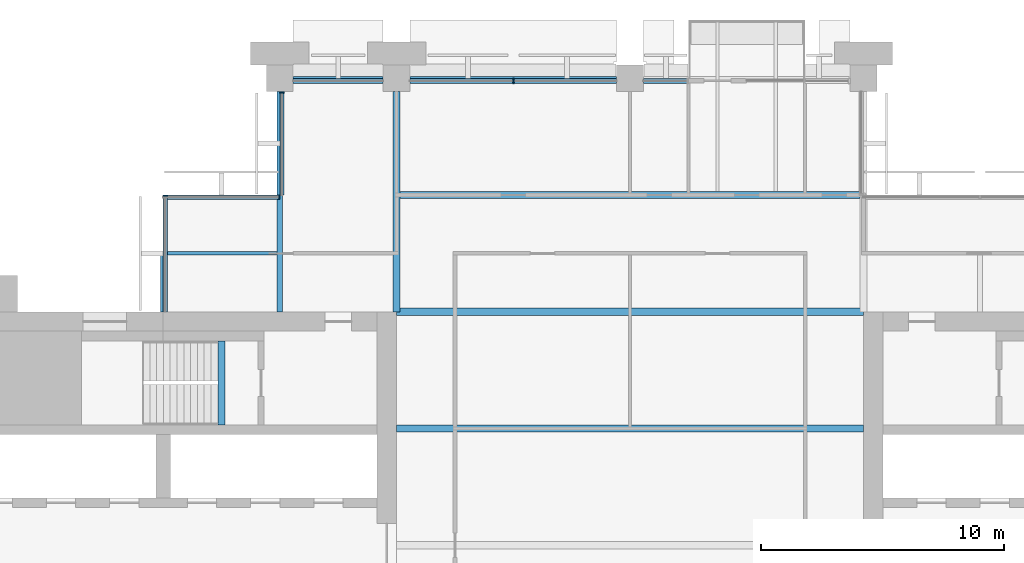
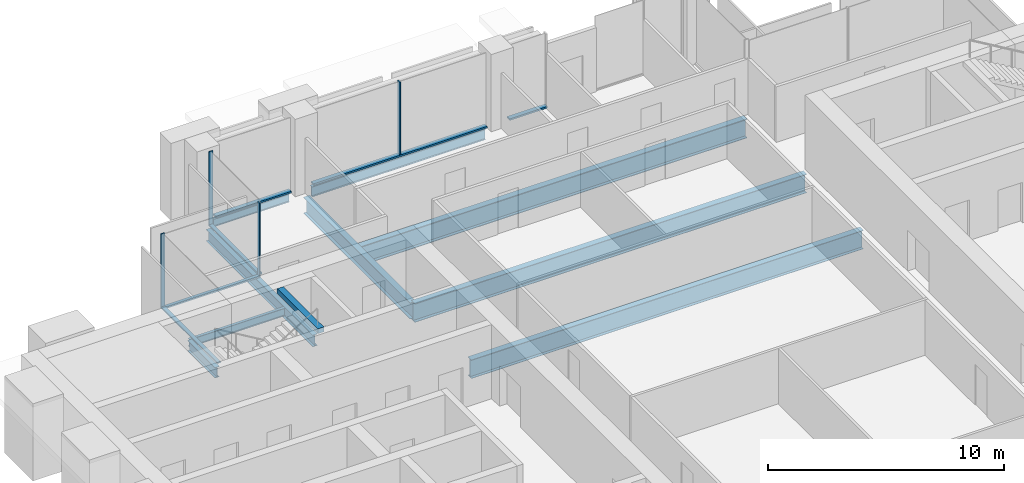
# One storey, part 5 of 14: 10 beams, 10 members, 4 elements without a shape of their own.
"""IFC4 building model written with IfcOpenShell, lengths in metres."""

from ifc_helpers import new_model, si_unit, direction, frame, origin, origin_2d, place, context, subcontext, project, spatial, rectangle, i_section, extrude, material, material_profile, profile_set, type_object, element, aggregate, save


model = new_model("IFC4")

# Units and contexts
model_context = context("Model", 3, precision=1e-05, world=origin(), true_north=direction((0.0, 1.0)))
body_context = subcontext(model_context, "Body", "Model", "MODEL_VIEW")
ifc_project = project(units=[si_unit("LENGTHUNIT", "METRE"), si_unit("AREAUNIT", "SQUARE_METRE"), si_unit("VOLUMEUNIT", "CUBIC_METRE"), si_unit("PLANEANGLEUNIT", "RADIAN"), si_unit("MASSUNIT", "GRAM", prefix="KILO")], contexts=[model_context])

# Site, building, storey
site_placement = place(None, origin())
site = spatial("IfcSite", under=ifc_project, at=site_placement, CompositionType="ELEMENT")
building_placement = place(site_placement, origin())
building = spatial("IfcBuilding", under=site, at=building_placement, Name="Baori Bourse Tower", CompositionType="ELEMENT")
storey_placement = place(building_placement, frame((0.0, 0.0, 221.199951171875)))
storey = spatial("IfcBuildingStorey", under=building, at=storey_placement, Name="L48", CompositionType="ELEMENT", Elevation=221.199951171875)

# Curtain wall, member
ifc_material_1 = material(Name="Pale anodised aluminium", Category="aluminium")
curtain_wall_type_1 = type_object("IfcCurtainWallType", Name="CW2 Curtain wall", PredefinedType="NOTDEFINED", material=ifc_material_1)
curtain_wall_1_placement = place(storey_placement, origin())
curtain_wall_1 = element("IfcCurtainWall", 1, at=curtain_wall_1_placement, inside=storey, type_object=curtain_wall_type_1, Name="Curtain wall CW2 L48 7", PredefinedType="NOTDEFINED")
ifc_material_2 = material(Name="Pale anodised aluminium", Category="aluminium")
ifc_material_profile_1 = material_profile(ifc_material_2, rectangle(XDim=0.179931640625, YDim=0.054931640625, at=origin_2d()), Name="Mullion 55x180")
ifc_profile_set_1 = profile_set([ifc_material_profile_1], Name="Pale anodised aluminium")
member_type_1 = type_object("IfcMemberType", Name="CW2 Curtain wall mullion", PredefinedType="MULLION", material=ifc_profile_set_1)
member_1_placement = place(storey_placement, frame((14.489990234375, 47.422607421875, 0.070068359375), z_axis=(0.0, 0.0, 1.0), x_axis=(1.0, 0.0, 0.0)))
member_1 = element("IfcMember", 2, at=member_1_placement, type_object=member_type_1, Name="Curtain wall CW2 mullion", PredefinedType="MULLION", context=body_context, shape_type="SweptSolid", body=[
    extrude(rectangle(XDim=0.179931640625, YDim=0.054931640625, at=origin_2d()), origin(), (0.0, 0.0, 1.0), 3.77001953125),
])

curtain_wall_2_placement = place(storey_placement, origin())
curtain_wall_2 = element("IfcCurtainWall", 3, at=curtain_wall_2_placement, inside=storey, type_object=curtain_wall_type_1, Name="Curtain wall CW2 L48 8", PredefinedType="NOTDEFINED")
member_2_placement = place(storey_placement, frame((14.37255859375, 43.110107421875, 0.070068359375), z_axis=(0.0, 0.0, 1.0), x_axis=(0.0, -1.0, 0.0)))
member_2 = element("IfcMember", 4, at=member_2_placement, type_object=member_type_1, Name="Curtain wall CW2 mullion", PredefinedType="MULLION", context=body_context, shape_type="SweptSolid", body=[
    extrude(rectangle(XDim=0.179931640625, YDim=0.054931640625, at=origin_2d()), origin(), (0.0, 0.0, 1.0), 3.77001953125),
])

curtain_wall_3_placement = place(storey_placement, origin())
curtain_wall_3 = element("IfcCurtainWall", 5, at=curtain_wall_3_placement, inside=storey, type_object=curtain_wall_type_1, Name="Curtain wall CW2 L48 9", PredefinedType="NOTDEFINED")
member_3_placement = place(storey_placement, frame((9.68994140625, 43.172607421875, 0.070068359375), z_axis=(0.0, 0.0, 1.0), x_axis=(1.0, 0.0, 0.0)))
member_3 = element("IfcMember", 6, at=member_3_placement, type_object=member_type_1, Name="Curtain wall CW2 mullion", PredefinedType="MULLION", context=body_context, shape_type="SweptSolid", body=[
    extrude(rectangle(XDim=0.179931640625, YDim=0.054931640625, at=origin_2d()), origin(), (0.0, 0.0, 1.0), 3.77001953125),
])

# Member
ifc_material_3 = material(Name="Pale anodised aluminium", Category="aluminium")
ifc_material_profile_2 = material_profile(ifc_material_3, rectangle(XDim=0.179931640625, YDim=0.070068359375, at=origin_2d()), Name="Transom 70x180")
ifc_profile_set_2 = profile_set([ifc_material_profile_2], Name="Pale anodised aluminium")
member_type_2 = type_object("IfcMemberType", Name="CW2 Curtain wall transom", PredefinedType="USERDEFINED", material=ifc_profile_set_2)
member_4_placement = place(storey_placement, frame((14.489990234375, 47.449951171875, 0.03515625), z_axis=(0.0, -1.0, 0.0), x_axis=(1.0, 0.0, 0.0)))
member_4 = element("IfcMember", 7, at=member_4_placement, type_object=member_type_2, Name="Curtain wall CW2 sill rail", ObjectType="TRANSOM", PredefinedType="USERDEFINED", context=body_context, shape_type="SweptSolid", body=[
    extrude(rectangle(XDim=0.179931640625, YDim=0.070068359375, at=origin_2d()), origin(), (0.0, 0.0, 1.0), 4.25),
])

aggregate(curtain_wall_1, [member_4, member_1])

member_5_placement = place(storey_placement, frame((14.39990234375, 43.110107421875, 0.03515625), z_axis=(-1.0, 0.0, 0.0), x_axis=(0.0, -1.0, 0.0)))
member_5 = element("IfcMember", 8, at=member_5_placement, type_object=member_type_2, Name="Curtain wall CW2 sill rail", ObjectType="TRANSOM", PredefinedType="USERDEFINED", context=body_context, shape_type="SweptSolid", body=[
    extrude(rectangle(XDim=0.179931640625, YDim=0.070068359375, at=origin_2d()), origin(), (0.0, 0.0, 1.0), 4.7998046875),
])

aggregate(curtain_wall_2, [member_5, member_2])

member_6_placement = place(storey_placement, frame((9.68994140625, 43.199951171875, 0.03515625), z_axis=(0.0, -1.0, 0.0), x_axis=(1.0, 0.0, 0.0)))
member_6 = element("IfcMember", 9, at=member_6_placement, type_object=member_type_2, Name="Curtain wall CW2 sill rail", ObjectType="TRANSOM", PredefinedType="USERDEFINED", context=body_context, shape_type="SweptSolid", body=[
    extrude(rectangle(XDim=0.179931640625, YDim=0.070068359375, at=origin_2d()), origin(), (0.0, 0.0, 1.0), 4.800048828125),
])

aggregate(curtain_wall_3, [member_6, member_3])

# Curtain wall, members
ifc_material_4 = material(Name="Pale anodised aluminium", Category="aluminium")
curtain_wall_type_2 = type_object("IfcCurtainWallType", Name="CW5 Curtain wall", PredefinedType="NOTDEFINED", material=ifc_material_4)
curtain_wall_4_placement = place(storey_placement, origin())
curtain_wall_4 = element("IfcCurtainWall", 10, at=curtain_wall_4_placement, inside=storey, type_object=curtain_wall_type_2, Name="Curtain wall CW5 L48 6", PredefinedType="NOTDEFINED")
ifc_material_5 = material(Name="Pale anodised aluminium", Category="aluminium")
ifc_material_profile_3 = material_profile(ifc_material_5, rectangle(XDim=0.219970703125, YDim=0.06494140625, at=origin_2d()), Name="Mullion 65x220")
ifc_profile_set_3 = profile_set([ifc_material_profile_3], Name="Pale anodised aluminium")
member_type_3 = type_object("IfcMemberType", Name="CW5 Curtain wall mullion", PredefinedType="MULLION", material=ifc_profile_set_3)
member_7_placement = place(storey_placement, frame((24.0, 47.889892578125, 0.0849609375), z_axis=(0.0, 0.0, 1.0), x_axis=(0.0, -1.0, 0.0)))
member_7 = element("IfcMember", 11, at=member_7_placement, type_object=member_type_3, Name="Curtain wall CW5 mullion", PredefinedType="MULLION", context=body_context, shape_type="SweptSolid", body=[
    extrude(rectangle(XDim=0.219970703125, YDim=0.06494140625, at=origin_2d()), origin(), (0.0, 0.0, 1.0), 3.755126953125),
])
ifc_material_6 = material(Name="Pale anodised aluminium", Category="aluminium")
ifc_material_profile_4 = material_profile(ifc_material_6, rectangle(XDim=0.219970703125, YDim=0.0849609375, at=origin_2d()), Name="Transom 85x220")
ifc_profile_set_4 = profile_set([ifc_material_profile_4], Name="Pale anodised aluminium")
member_type_4 = type_object("IfcMemberType", Name="CW5 Curtain wall transom", PredefinedType="USERDEFINED", material=ifc_profile_set_4)
member_8_placement = place(storey_placement, frame((31.199951171875, 47.889892578125, 0.04248046875), z_axis=(-1.0, 0.0, 0.0), x_axis=(0.0, -1.0, 0.0)))
member_8 = element("IfcMember", 12, at=member_8_placement, type_object=member_type_4, Name="Curtain wall CW5 sill rail", ObjectType="TRANSOM", PredefinedType="USERDEFINED", context=body_context, shape_type="SweptSolid", body=[
    extrude(rectangle(XDim=0.219970703125, YDim=0.0849609375, at=origin_2d()), origin(), (0.0, 0.0, 1.0), 1.849853515625),
])
member_9_placement = place(storey_placement, frame((28.25, 47.889892578125, 0.04248046875), z_axis=(-1.0, 0.0, 0.0), x_axis=(0.0, -1.0, 0.0)))
member_9 = element("IfcMember", 13, at=member_9_placement, type_object=member_type_4, Name="Curtain wall CW5 sill rail", ObjectType="TRANSOM", PredefinedType="USERDEFINED", context=body_context, shape_type="SweptSolid", body=[
    extrude(rectangle(XDim=0.219970703125, YDim=0.0849609375, at=origin_2d()), origin(), (0.0, 0.0, 1.0), 8.5),
])
member_10_placement = place(storey_placement, frame((18.64990234375, 47.889892578125, 0.04248046875), z_axis=(-1.0, 0.0, 0.0), x_axis=(0.0, -1.0, 0.0)))
member_10 = element("IfcMember", 14, at=member_10_placement, type_object=member_type_4, Name="Curtain wall CW5 sill rail", ObjectType="TRANSOM", PredefinedType="USERDEFINED", context=body_context, shape_type="SweptSolid", body=[
    extrude(rectangle(XDim=0.219970703125, YDim=0.0849609375, at=origin_2d()), origin(), (0.0, 0.0, 1.0), 3.699951171875),
])
aggregate(curtain_wall_4, [member_8, member_9, member_7, member_10])

# Beams
ifc_material_7 = material(Name="Steel A992 Gr 50", Category="steel")
ifc_material_profile_5 = material_profile(ifc_material_7, i_section(OverallWidth=0.21240234375, OverallDepth=0.54345703125, WebThickness=0.01318359375, FlangeThickness=0.021240234375, at=origin_2d()), Name="W21x83")
ifc_profile_set_5 = profile_set([ifc_material_profile_5], Name="Steel A992 Gr 50")
beam_type_1 = type_object("IfcBeamType", Name="Core bracket W21x83", PredefinedType="BEAM", material=ifc_profile_set_5)
beam_1_placement = place(storey_placement, frame((9.60009765625, 38.39990234375, -0.431640625), z_axis=(0.0, 1.0, 0.0), x_axis=(-1.0, 0.0, 0.0)))
element("IfcBeam", 15, at=beam_1_placement, inside=storey, type_object=beam_type_1, Name="Core bracket L48", PredefinedType="BEAM", context=body_context, shape_type="SweptSolid", body=[
    extrude(i_section(OverallWidth=0.21240234375, OverallDepth=0.54345703125, WebThickness=0.01318359375, FlangeThickness=0.021240234375, at=origin_2d()), origin(), (0.0, 0.0, 1.0), 2.329833984375),
])
ifc_material_8 = material(Name="Steel A992 Gr 50", Category="steel")
ifc_material_profile_6 = material_profile(ifc_material_8, i_section(OverallWidth=0.140380859375, OverallDepth=0.40380859375, WebThickness=0.007080078125, FlangeThickness=0.01123046875, at=origin_2d()), Name="W16x31")
ifc_profile_set_6 = profile_set([ifc_material_profile_6], Name="Steel A992 Gr 50")
beam_type_2 = type_object("IfcBeamType", Name="Edge beam W16x31", PredefinedType="BEAM", material=ifc_profile_set_6)
beam_2_placement = place(storey_placement, frame((14.949951171875, 48.0, -0.36181640625), z_axis=(1.0, 0.0, 0.0), x_axis=(0.0, 1.0, 0.0)))
element("IfcBeam", 16, at=beam_2_placement, inside=storey, type_object=beam_type_2, Name="Edge beam L48", PredefinedType="BEAM", context=body_context, shape_type="SweptSolid", body=[
    extrude(i_section(OverallWidth=0.140380859375, OverallDepth=0.40380859375, WebThickness=0.007080078125, FlangeThickness=0.01123046875, at=origin_2d()), origin(), (0.0, 0.0, 1.0), 3.699951171875),
])
ifc_material_9 = material(Name="Steel A992 Gr 50", Category="steel")
ifc_material_profile_7 = material_profile(ifc_material_9, i_section(OverallWidth=0.1650390625, OverallDepth=0.52587890625, WebThickness=0.0087890625, FlangeThickness=0.011474609375, at=origin_2d()), Name="W21x44")
ifc_profile_set_7 = profile_set([ifc_material_profile_7], Name="Steel A992 Gr 50")
beam_type_3 = type_object("IfcBeamType", Name="Edge beam W21x44", PredefinedType="BEAM", material=ifc_profile_set_7)
beam_3_placement = place(storey_placement, frame((19.75, 48.0, -0.4228515625), z_axis=(1.0, 0.0, 0.0), x_axis=(0.0, 1.0, 0.0)))
element("IfcBeam", 17, at=beam_3_placement, inside=storey, type_object=beam_type_3, Name="Edge beam L48", PredefinedType="BEAM", context=body_context, shape_type="SweptSolid", body=[
    extrude(i_section(OverallWidth=0.1650390625, OverallDepth=0.52587890625, WebThickness=0.0087890625, FlangeThickness=0.011474609375, at=origin_2d()), origin(), (0.0, 0.0, 1.0), 8.5),
])
ifc_material_10 = material(Name="Steel A992 Gr 50", Category="steel")
ifc_material_profile_8 = material_profile(ifc_material_10, i_section(OverallWidth=0.227783203125, OverallDepth=0.60205078125, WebThickness=0.010498046875, FlangeThickness=0.014892578125, at=origin_2d()), Name="W24x68")
ifc_profile_set_8 = profile_set([ifc_material_profile_8], Name="Steel A992 Gr 50")
beam_type_4 = type_object("IfcBeamType", Name="Floor beam W24x68", PredefinedType="BEAM", material=ifc_profile_set_8)
beam_4_placement = place(storey_placement, frame((14.39990234375, 38.39990234375, -0.4609375), z_axis=(0.0, 1.0, 0.0), x_axis=(-1.0, 0.0, 0.0)))
element("IfcBeam", 18, at=beam_4_placement, inside=storey, type_object=beam_type_4, Name="Floor beam L48", PredefinedType="BEAM", context=body_context, shape_type="SweptSolid", body=[
    extrude(i_section(OverallWidth=0.227783203125, OverallDepth=0.60205078125, WebThickness=0.010498046875, FlangeThickness=0.014892578125, at=origin_2d()), origin(), (0.0, 0.0, 1.0), 9.050048828125),
])
ifc_material_11 = material(Name="Steel A992 Gr 50", Category="steel")
ifc_material_profile_9 = material_profile(ifc_material_11, i_section(OverallWidth=0.2998046875, OverallDepth=0.97021484375, WebThickness=0.01611328125, FlangeThickness=0.02099609375, at=origin_2d()), Name="W40x149")
ifc_profile_set_9 = profile_set([ifc_material_profile_9], Name="Steel A992 Gr 50")
beam_type_5 = type_object("IfcBeamType", Name="Floor beam W40x149", PredefinedType="BEAM", material=ifc_profile_set_9)
for number, where, z_axis, x_axis, name in (
    (19, (19.199951171875, 33.60009765625, -0.64501953125), (1.0, 0.0, 0.0), (0.0, 1.0, 0.0), "Floor beam L48"),
    (20, (19.199951171875, 38.39990234375, -0.64501953125), (1.0, 0.0, 0.0), (0.0, 1.0, 0.0), "Floor beam L48"),
):
    element("IfcBeam", number, at=place(storey_placement, frame(where, z_axis=z_axis, x_axis=x_axis)), inside=storey, type_object=beam_type_5, Name=name, PredefinedType="BEAM", context=body_context, shape_type="SweptSolid", body=[
        extrude(i_section(OverallWidth=0.2998046875, OverallDepth=0.97021484375, WebThickness=0.01611328125, FlangeThickness=0.02099609375, at=origin_2d()), origin(), (0.0, 0.0, 1.0), 19.199951171875),
    ])
ifc_material_12 = material(Name="Steel A992 Gr 50", Category="steel")
ifc_material_profile_10 = material_profile(ifc_material_12, i_section(OverallWidth=0.2998046875, OverallDepth=0.990478515625, WebThickness=0.0166015625, FlangeThickness=0.030517578125, at=origin_2d()), Name="W40x183")
ifc_profile_set_10 = profile_set([ifc_material_profile_10], Name="Steel A992 Gr 50")
beam_type_6 = type_object("IfcBeamType", Name="Floor beam W40x183", PredefinedType="BEAM", material=ifc_profile_set_10)
beam_5_placement = place(storey_placement, frame((19.345947265625, 43.199951171875, -0.6552734375), z_axis=(1.0, 0.0, 0.0), x_axis=(0.0, 1.0, 0.0)))
element("IfcBeam", 21, at=beam_5_placement, inside=storey, type_object=beam_type_6, Name="Floor beam L48", PredefinedType="BEAM", context=body_context, shape_type="SweptSolid", body=[
    extrude(i_section(OverallWidth=0.2998046875, OverallDepth=0.990478515625, WebThickness=0.0166015625, FlangeThickness=0.030517578125, at=origin_2d()), origin(), (0.0, 0.0, 1.0), 18.904296875),
])
ifc_material_13 = material(Name="Steel A992 Gr 50", Category="steel")
ifc_material_profile_11 = material_profile(ifc_material_13, i_section(OverallWidth=0.2919921875, OverallDepth=0.835693359375, WebThickness=0.013916015625, FlangeThickness=0.018798828125, at=origin_2d()), Name="W33x118")
ifc_profile_set_11 = profile_set([ifc_material_profile_11], Name="Steel A992 Gr 50")
beam_type_7 = type_object("IfcBeamType", Name="Girder W33x118", PredefinedType="BEAM", material=ifc_profile_set_11)
beam_6_placement = place(storey_placement, frame((19.199951171875, 38.39990234375, -0.577880859375), z_axis=(0.0, 1.0, 0.0), x_axis=(-1.0, 0.0, 0.0)))
element("IfcBeam", 22, at=beam_6_placement, inside=storey, type_object=beam_type_7, Name="Girder L48", PredefinedType="BEAM", context=body_context, shape_type="SweptSolid", body=[
    extrude(i_section(OverallWidth=0.2919921875, OverallDepth=0.835693359375, WebThickness=0.013916015625, FlangeThickness=0.018798828125, at=origin_2d()), origin(), (0.0, 0.0, 1.0), 9.050048828125),
])
ifc_material_14 = material(Name="Concrete f'c 50 MPa", Category="concrete")
ifc_material_profile_12 = material_profile(ifc_material_14, rectangle(XDim=0.300048828125, YDim=0.25, at=origin_2d()), Name="RC 300x250")
ifc_profile_set_12 = profile_set([ifc_material_profile_12], Name="Concrete f'c 50 MPa")
beam_type_8 = type_object("IfcBeamType", Name="Stair nib beam RC 300x250", PredefinedType="BEAM", material=ifc_profile_set_12)
beam_7_placement = place(storey_placement, frame((12.0, 33.75, 3.715087890625), z_axis=(0.0, 1.0, 0.0), x_axis=(-1.0, 0.0, 0.0)))
element("IfcBeam", 23, at=beam_7_placement, inside=storey, type_object=beam_type_8, Name="Stair WB nib beam L49", PredefinedType="BEAM", context=body_context, shape_type="SweptSolid", body=[
    extrude(rectangle(XDim=0.300048828125, YDim=0.25, at=origin_2d()), origin(), (0.0, 0.0, 1.0), 3.449951171875),
])
ifc_material_15 = material(Name="Steel A992 Gr 50", Category="steel")
ifc_material_profile_13 = material_profile(ifc_material_15, i_section(OverallWidth=0.140380859375, OverallDepth=0.40380859375, WebThickness=0.007080078125, FlangeThickness=0.01123046875, at=origin_2d()), Name="W16x31")
ifc_profile_set_13 = profile_set([ifc_material_profile_13], Name="Steel A992 Gr 50")
beam_type_9 = type_object("IfcBeamType", Name="Trimmer beam W16x31", PredefinedType="BEAM", material=ifc_profile_set_13)
beam_8_placement = place(storey_placement, frame((9.60009765625, 40.800048828125, -0.36181640625), z_axis=(1.0, 0.0, 0.0), x_axis=(0.0, 1.0, 0.0)))
element("IfcBeam", 24, at=beam_8_placement, inside=storey, type_object=beam_type_9, Name="Trimmer beam L48", PredefinedType="BEAM", context=body_context, shape_type="SweptSolid", body=[
    extrude(i_section(OverallWidth=0.140380859375, OverallDepth=0.40380859375, WebThickness=0.007080078125, FlangeThickness=0.01123046875, at=origin_2d()), origin(), (0.0, 0.0, 1.0), 4.68603515625),
])

save(model, "model.ifc")
